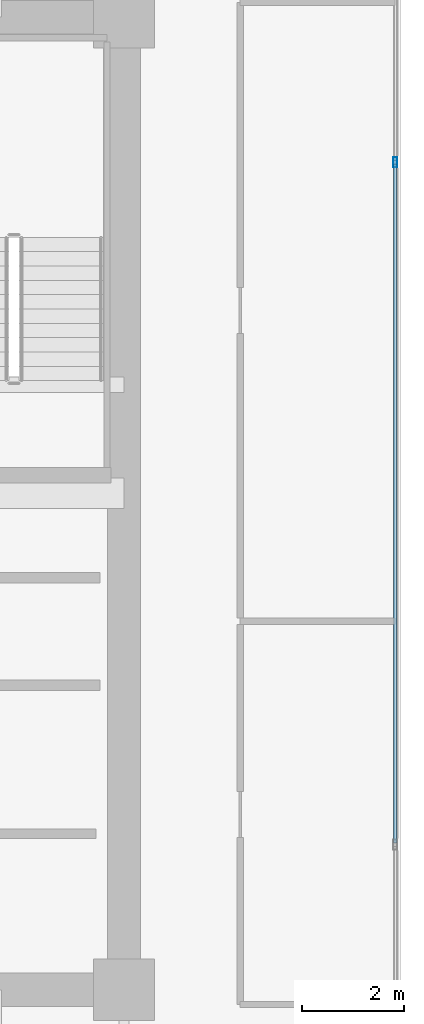
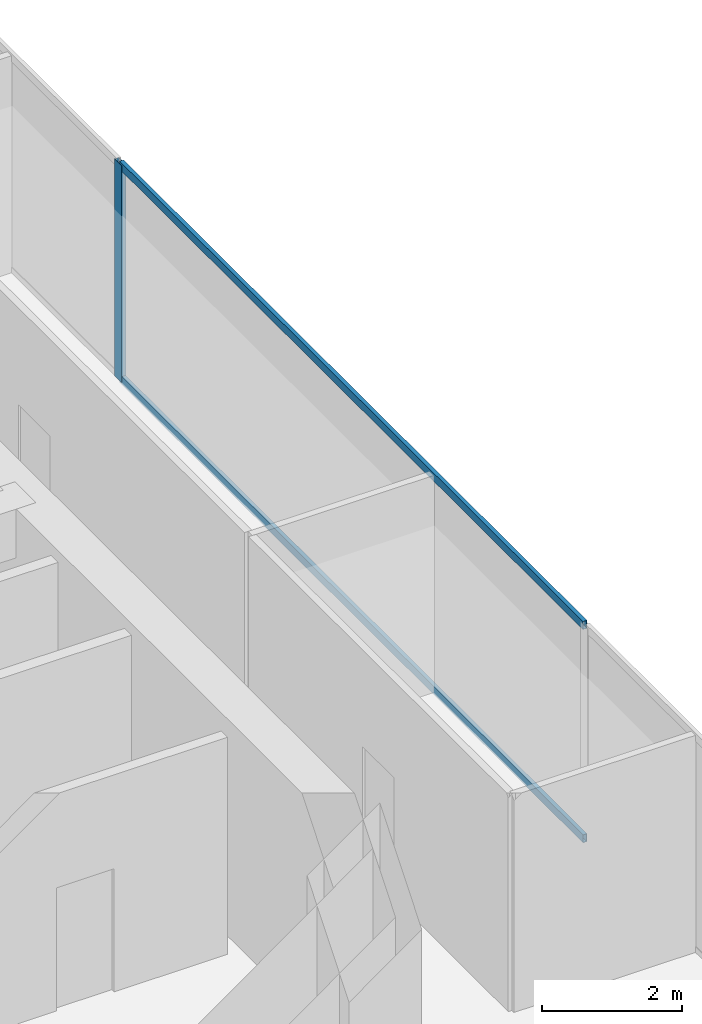
# One storey, part 22 of 34: 3 members, 1 element without a shape of its own.
"""IFC4 building model written with IfcOpenShell, lengths in metres."""

from ifc_helpers import new_model, si_unit, direction, frame, origin, origin_2d, place, context, subcontext, project, spatial, hollow_rectangle, extrude, source, transform, mapped, material, layer, layer_set, material_profile, profile_set, type_object, type_shapes, element, aggregate, save


model = new_model("IFC4")

# Units and contexts
model_context = context("Model", 3, precision=1e-05, world=origin(), true_north=direction((0.0, 1.0)))
body_context = subcontext(model_context, "Body", "Model", "MODEL_VIEW")
ifc_project = project(units=[si_unit("LENGTHUNIT", "METRE"), si_unit("AREAUNIT", "SQUARE_METRE"), si_unit("VOLUMEUNIT", "CUBIC_METRE"), si_unit("PLANEANGLEUNIT", "RADIAN"), si_unit("MASSUNIT", "GRAM", prefix="KILO")], contexts=[model_context])

# Site, building, storey
site_placement = place(None, origin())
site = spatial("IfcSite", under=ifc_project, at=site_placement, CompositionType="ELEMENT")
building_placement = place(site_placement, origin())
building = spatial("IfcBuilding", under=site, at=building_placement, Name="Haelvirn Gate Laboratories", CompositionType="ELEMENT")
storey_placement = place(building_placement, frame((0.0, 0.0, 178.89990234375)))
storey = spatial("IfcBuildingStorey", under=building, at=storey_placement, Name="L43", CompositionType="ELEMENT", Elevation=178.89990234375)

# Curtain wall, members
ifc_material_1 = material(Name="Anodised bronze unitised aluminium & triple low-E glass", Category="aluminium")
ifc_layer = layer(ifc_material_1, 0.179931640625, Name="CW-SYS-3")
ifc_layer_set = layer_set([ifc_layer], Name="Anodised bronze unitised aluminium & triple low-E glass")
curtain_wall_type = type_object("IfcCurtainWallType", Name="CW-SYS-3", PredefinedType="NOTDEFINED", material=ifc_layer_set)
curtain_wall_placement = place(storey_placement, origin())
curtain_wall = element("IfcCurtainWall", 1, at=curtain_wall_placement, inside=storey, type_object=curtain_wall_type, Name="L43 Unitised Curtain Wall CW-L43-P0-E07", PredefinedType="NOTDEFINED")
ifc_material_2 = material(Name="Extruded aluminium 6063-T6 (anodised bronze)", Category="aluminium")
ifc_material_profile_1 = material_profile(ifc_material_2, hollow_rectangle(XDim=0.06494140625, YDim=0.139892578125, WallThickness=0.00390625, at=origin_2d()), Name="CWT-140x65x4")
ifc_profile_set_1 = profile_set([ifc_material_profile_1], Name="Extruded aluminium 6063-T6 (anodised bronze)")
member_type_1 = type_object("IfcMemberType", Name="CWT-T140", PredefinedType="USERDEFINED", material=ifc_profile_set_1)
shared_shape_1 = source(origin(), body_context, "Body", "SweptSolid", [
    extrude(hollow_rectangle(XDim=0.06494140625, YDim=0.139892578125, WallThickness=0.00390625, at=origin_2d()), origin(), (0.0, 0.0, 1.0), 13.25830078125),
])
type_shapes(member_type_1, [shared_shape_1])
member_1_placement = place(storey_placement, frame((72.699951171875, 17.6708984375, 0.03271484375), z_axis=(0.0, 1.0, 0.0), x_axis=(-1.0, 0.0, 0.0)))
member_1 = element("IfcMember", 2, at=member_1_placement, type_object=member_type_1, Name="CW3 transom 2.1", ObjectType="TRANSOM", PredefinedType="USERDEFINED", context=body_context, shape_type="MappedRepresentation", body=[
    mapped(shared_shape_1, transform((0.0, 0.0, 0.0), scale=1.0)),
])
member_2_placement = place(storey_placement, frame((72.699951171875, 17.6708984375, 3.757568359375), z_axis=(0.0, 1.0, 0.0), x_axis=(-1.0, 0.0, 0.0)))
member_2 = element("IfcMember", 3, at=member_2_placement, type_object=member_type_1, Name="CW3 transom 2.2", ObjectType="TRANSOM", PredefinedType="USERDEFINED", context=body_context, shape_type="MappedRepresentation", body=[
    mapped(shared_shape_1, transform((0.0, 0.0, 0.0), scale=1.0)),
])
ifc_material_profile_2 = material_profile(ifc_material_2, hollow_rectangle(XDim=0.074951171875, YDim=0.199951171875, WallThickness=0.0048828125, at=origin_2d()), Name="CWM-200x75x5")
ifc_profile_set_2 = profile_set([ifc_material_profile_2], Name="Extruded aluminium 6063-T6 (anodised bronze)")
member_type_2 = type_object("IfcMemberType", Name="CWM-T200", PredefinedType="MULLION", material=ifc_profile_set_2)
shared_shape_2 = source(origin(), body_context, "Body", "SweptSolid", [
    extrude(hollow_rectangle(XDim=0.074951171875, YDim=0.199951171875, WallThickness=0.0048828125, at=origin_2d()), origin(), (0.0, 0.0, 1.0), 3.7900390625),
])
type_shapes(member_type_2, [shared_shape_2])
member_3_placement = place(storey_placement, frame((72.699951171875, 30.966552734375, 0.0), z_axis=(0.0, 0.0, 1.0), x_axis=(-1.0, 0.0, 0.0)))
member_3 = element("IfcMember", 4, at=member_3_placement, type_object=member_type_2, Name="CW3 mullion 3", PredefinedType="MULLION", context=body_context, shape_type="MappedRepresentation", body=[
    mapped(shared_shape_2, transform((0.0, 0.0, 0.0), scale=1.0)),
])
aggregate(curtain_wall, [member_3, member_1, member_2])

save(model, "model.ifc")
